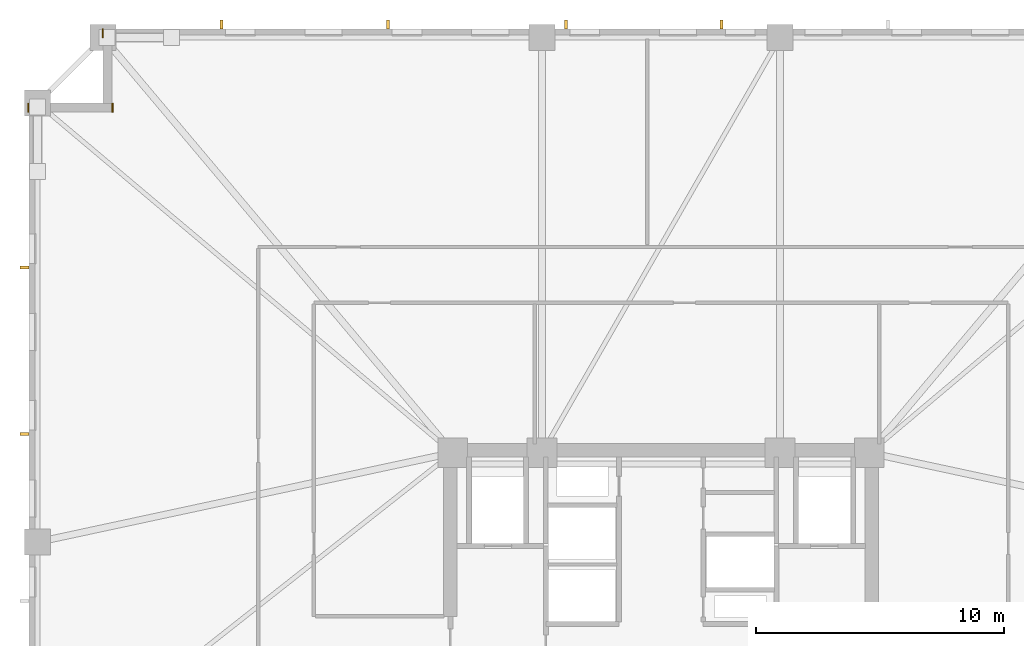
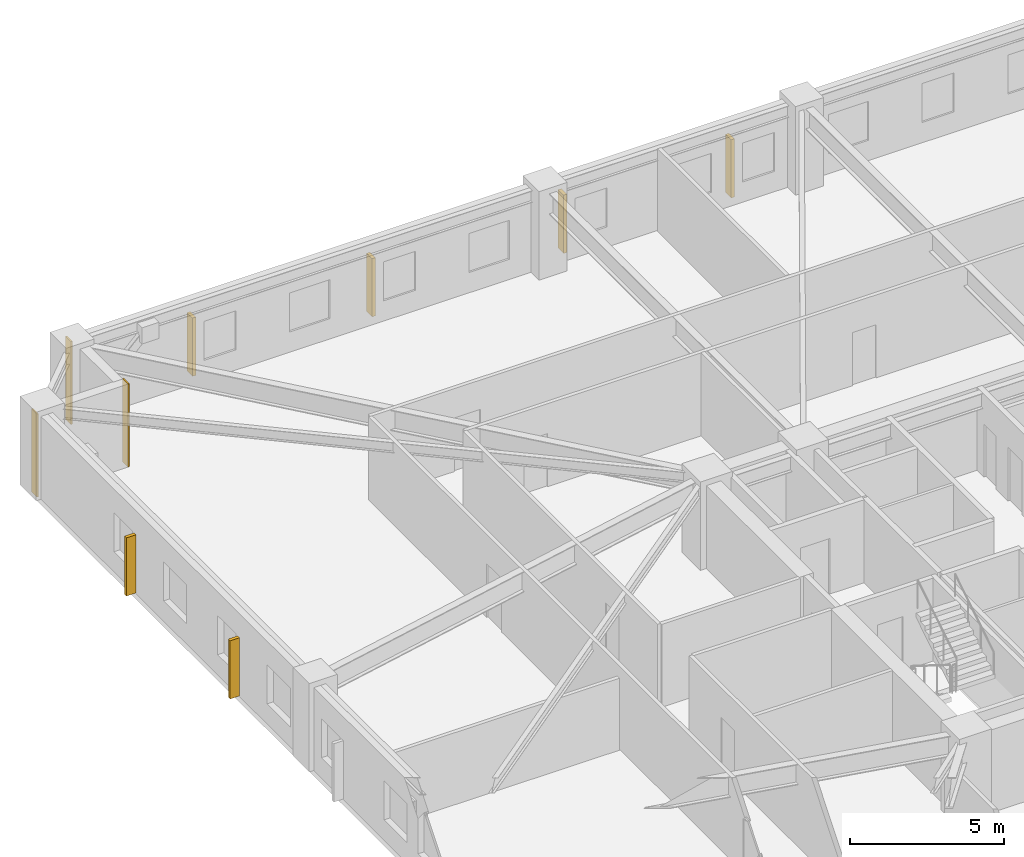
# One storey, part 10 of 11: 6 shading devices, 3 coverings.
"""IFC4 building model written with IfcOpenShell, lengths in metres."""

from ifc_helpers import new_model, si_unit, direction, frame, frame_2d, origin, origin_2d, place, context, subcontext, project, spatial, rectangle, extrude, material, layer, layer_set, type_object, element, save


model = new_model("IFC4")

# Units and contexts
model_context = context("Model", 3, precision=1e-05, world=origin(), true_north=direction((0.0, 1.0)))
body_context = subcontext(model_context, "Body", "Model", "MODEL_VIEW")
ifc_project = project(units=[si_unit("LENGTHUNIT", "METRE"), si_unit("AREAUNIT", "SQUARE_METRE"), si_unit("VOLUMEUNIT", "CUBIC_METRE"), si_unit("PLANEANGLEUNIT", "RADIAN"), si_unit("MASSUNIT", "GRAM", prefix="KILO")], contexts=[model_context])

# Site, building, storey
site_placement = place(None, origin())
site = spatial("IfcSite", under=ifc_project, at=site_placement, CompositionType="ELEMENT")
building_placement = place(site_placement, origin())
building = spatial("IfcBuilding", under=site, at=building_placement, Name="Cairnveth Concourse Tower", CompositionType="ELEMENT")
storey_placement = place(building_placement, frame((0.0, 0.0, 34.0)))
storey = spatial("IfcBuildingStorey", under=building, at=storey_placement, Name="L08", CompositionType="ELEMENT", Elevation=34.0)

# Coverings
ifc_material_1 = material(Name="Dressed Melbourne Bluestone Cladding", Category="masonry")
ifc_layer = layer(ifc_material_1, 0.050048828125)
ifc_layer_set = layer_set([ifc_layer], Name="Dressed Melbourne Bluestone Cladding")
covering_type = type_object("IfcCoveringType", Name="DRESSED BLUESTONE PLINTH CLADDING 50", PredefinedType="CLADDING", material=ifc_layer_set)
for number, where, z_axis, x_axis, name in (
    (1, (26.47998046875, 61.139892578125, 0.0), (0.0, 0.0, 1.0), (0.0, 1.0, 0.0), "Melbourne Bluestone Corner Quoin L08-75"),
    (2, (29.8798828125, 61.139892578125, 0.0), (0.0, 0.0, 1.0), (0.0, 1.0, 0.0), "Melbourne Bluestone Corner Quoin L08-76"),
    (3, (29.47998046875, 64.139892578125, 0.0), (0.0, 0.0, 1.0), (0.0, 1.0, 0.0), "Melbourne Bluestone Corner Quoin L08-77"),
):
    element("IfcCovering", number, at=place(storey_placement, frame(where, z_axis=z_axis, x_axis=x_axis)), inside=storey, type_object=covering_type, Name=name, PredefinedType="CLADDING", context=body_context, shape_type="SweptSolid", body=[
        extrude(rectangle(XDim=0.360107421875, YDim=0.050048828125, at=frame_2d((0.18017578125, 0.0))), origin(), (0.0, 0.0, 1.0), 3.280029296875),
    ])

# Shading devices
ifc_material_2 = material(Name="Architectural Bronze Anodised Aluminium 6063-T6", Category="aluminium")
shading_device_type = type_object("IfcShadingDeviceType", Name="GOTHIC BRONZE VERTICAL LANCET FIN", PredefinedType="USERDEFINED", material=ifc_material_2)
for number, where, z_axis, x_axis, name in (
    (4, (26.324951171875, 48.151611328125, 0.02978515625), (0.0, 0.0, 1.0), (0.0, 1.0, 0.0), "Gothic Bronze Vertical Fin L08-3-9"),
    (5, (26.324951171875, 54.871826171875, 0.02978515625), (0.0, 0.0, 1.0), (0.0, 1.0, 0.0), "Gothic Bronze Vertical Fin L08-3-11"),
    (6, (34.27001953125, 64.675048828125, 0.02978515625), (0.0, 0.0, 1.0), (1.0, 0.0, 0.0), "Gothic Bronze Vertical Fin L08-6-1"),
    (7, (40.990478515625, 64.675048828125, 0.02978515625), (0.0, 0.0, 1.0), (1.0, 0.0, 0.0), "Gothic Bronze Vertical Fin L08-6-3"),
    (8, (48.160888671875, 64.675048828125, 0.02978515625), (0.0, 0.0, 1.0), (1.0, 0.0, 0.0), "Gothic Bronze Vertical Fin L08-6-5"),
    (9, (54.43115234375, 64.675048828125, 0.02978515625), (0.0, 0.0, 1.0), (1.0, 0.0, 0.0), "Gothic Bronze Vertical Fin L08-6-7"),
):
    element("IfcShadingDevice", number, at=place(storey_placement, frame(where, z_axis=z_axis, x_axis=x_axis)), inside=storey, type_object=shading_device_type, Name=name, ObjectType="VERTICAL FIN", PredefinedType="USERDEFINED", context=body_context, shape_type="SweptSolid", body=[
        extrude(rectangle(XDim=0.1201171875, YDim=0.360107421875, at=origin_2d()), origin(), (0.0, 0.0, 1.0), 2.303955078125),
    ])

save(model, "model.ifc")
